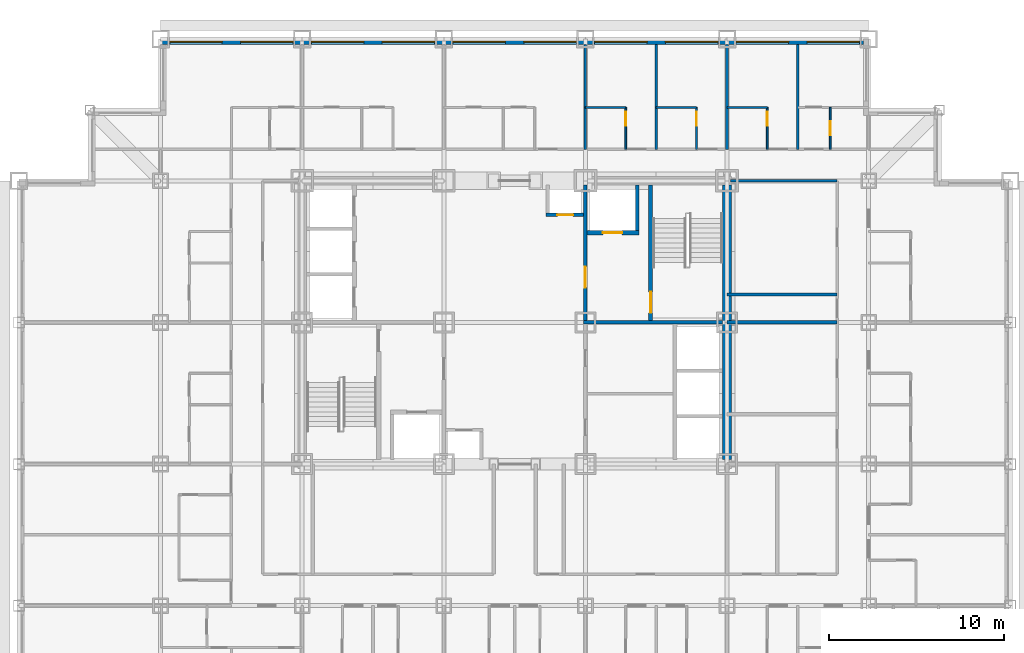
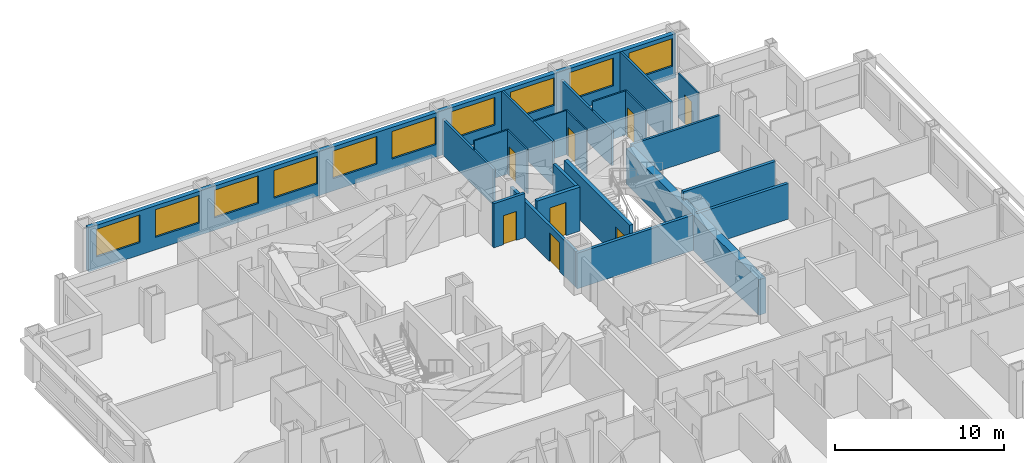
# One storey, part 9 of 11: 22 walls, 10 windows, 8 doors, 18 openings.
"""IFC4 building model written with IfcOpenShell, lengths in metres."""

from ifc_helpers import new_model, si_unit, direction, frame, frame_2d, origin, place, context, subcontext, project, spatial, rectangle, extrude, material, layer, layer_set, type_object, element, fill, save


model = new_model("IFC4")

# Units and contexts
model_context = context("Model", 3, precision=1e-05, world=origin(), true_north=direction((0.0, 1.0)))
body_context = subcontext(model_context, "Body", "Model", "MODEL_VIEW")
ifc_project = project(units=[si_unit("LENGTHUNIT", "METRE"), si_unit("AREAUNIT", "SQUARE_METRE"), si_unit("VOLUMEUNIT", "CUBIC_METRE"), si_unit("PLANEANGLEUNIT", "RADIAN"), si_unit("MASSUNIT", "GRAM", prefix="KILO")], contexts=[model_context])

# Site, building, storey
site_placement = place(None, origin())
site = spatial("IfcSite", under=ifc_project, at=site_placement, CompositionType="ELEMENT")
building_placement = place(site_placement, origin())
building = spatial("IfcBuilding", under=site, at=building_placement, Name="Kopane Lantern Tower", CompositionType="ELEMENT")
storey_placement = place(building_placement, frame((0.0, 0.0, 73.800048828125)))
storey = spatial("IfcBuildingStorey", under=building, at=storey_placement, Name="L18", CompositionType="ELEMENT", Elevation=73.800048828125)

# Wall
ifc_material_1 = material(Name="Moisture-resistant board on steel studs", Category="steel")
ifc_layer_1 = layer(ifc_material_1, 0.10009765625)
ifc_layer_set_1 = layer_set([ifc_layer_1], Name="BATHROOM WALL 100")
wall_type_1 = type_object("IfcWallType", Name="BATHROOM WALL 100", PredefinedType="PARTITIONING", material=ifc_layer_set_1)
wall_1_placement = place(storey_placement, frame((32.39990234375, 44.699951171875, 0.0), z_axis=(0.0, 0.0, 1.0), x_axis=(1.0, 0.0, 0.0)))
element("IfcWall", 1, at=wall_1_placement, inside=storey, type_object=wall_type_1, Name="Bathroom Wall 100 L18", PredefinedType="PARTITIONING", context=body_context, shape_type="SweptSolid", body=[
    extrude(rectangle(XDim=2.300048828125, YDim=0.10009765625, at=frame_2d((1.14990234375, 0.0))), origin(), (0.0, 0.0, 1.0), 3.18994140625),
])

# Wall, opening, door
wall_2_placement = place(storey_placement, frame((34.699951171875, 42.300048828125, 0.0), z_axis=(0.0, 0.0, 1.0), x_axis=(0.0, 1.0, 0.0)))
wall_2 = element("IfcWall", 2, at=wall_2_placement, inside=storey, type_object=wall_type_1, Name="Bathroom Wall 100 L18", PredefinedType="PARTITIONING", context=body_context, shape_type="SweptSolid", body=[
    extrude(rectangle(XDim=2.39990234375, YDim=0.10009765625, at=frame_2d((1.199951171875, 0.0))), origin(), (0.0, 0.0, 1.0), 3.18994140625),
])
opening_1_placement = place(wall_2_placement, frame((1.35009765625, 0.0, 0.0)))
opening_1 = element("IfcOpeningElement", 3, at=opening_1_placement, cuts=wall_2, Name="Opening L18-033", PredefinedType="OPENING", context=body_context, shape_type="SweptSolid", body=[
    extrude(rectangle(XDim=0.800048828125, YDim=2.10009765625, at=frame_2d((0.39990234375, 1.050048828125))), frame((0.0, 0.06005859375, 0.0), z_axis=(0.0, -1.0, 0.0), x_axis=(1.0, 0.0, 0.0)), (0.0, 0.0, 1.0), 0.1201171875),
])
ifc_material_2 = material(Name="Timber door set", Category="wood")
door_type_1 = type_object("IfcDoorType", Name="DOOR D2 800x2100", OperationType="SINGLE_SWING_LEFT", PredefinedType="DOOR", material=ifc_material_2)
door_1_placement = place(opening_1_placement, origin())
door_1 = element("IfcDoor", 4, at=door_1_placement, inside=storey, type_object=door_type_1, Name="Door L18-033", OperationType="SINGLE_SWING_RIGHT", OverallHeight=2.10009765625, OverallWidth=0.800048828125, PredefinedType="DOOR", context=body_context, shape_type="SweptSolid", body=[
    extrude(rectangle(XDim=0.800048828125, YDim=2.10009765625, at=frame_2d((0.39990234375, 1.050048828125))), frame((0.0, 0.02490234375, 0.0), z_axis=(0.0, -1.0, 0.0), x_axis=(1.0, 0.0, 0.0)), (0.0, 0.0, 1.0), 0.050048828125),
])
fill(opening_1, door_1)

# Wall
wall_3_placement = place(storey_placement, frame((36.449951171875, 44.699951171875, 0.0), z_axis=(0.0, 0.0, 1.0), x_axis=(1.0, 0.0, 0.0)))
element("IfcWall", 5, at=wall_3_placement, inside=storey, type_object=wall_type_1, Name="Bathroom Wall 100 L18", PredefinedType="PARTITIONING", context=body_context, shape_type="SweptSolid", body=[
    extrude(rectangle(XDim=2.300048828125, YDim=0.10009765625, at=frame_2d((1.14990234375, 0.0))), origin(), (0.0, 0.0, 1.0), 3.18994140625),
])

# Wall, opening, door
wall_4_placement = place(storey_placement, frame((38.75, 42.300048828125, 0.0), z_axis=(0.0, 0.0, 1.0), x_axis=(0.0, 1.0, 0.0)))
wall_4 = element("IfcWall", 6, at=wall_4_placement, inside=storey, type_object=wall_type_1, Name="Bathroom Wall 100 L18", PredefinedType="PARTITIONING", context=body_context, shape_type="SweptSolid", body=[
    extrude(rectangle(XDim=2.39990234375, YDim=0.10009765625, at=frame_2d((1.199951171875, 0.0))), origin(), (0.0, 0.0, 1.0), 3.18994140625),
])
opening_2_placement = place(wall_4_placement, frame((1.35009765625, 0.0, 0.0)))
opening_2 = element("IfcOpeningElement", 7, at=opening_2_placement, cuts=wall_4, Name="Opening L18-035", PredefinedType="OPENING", context=body_context, shape_type="SweptSolid", body=[
    extrude(rectangle(XDim=0.800048828125, YDim=2.10009765625, at=frame_2d((0.39990234375, 1.050048828125))), frame((0.0, 0.06005859375, 0.0), z_axis=(0.0, -1.0, 0.0), x_axis=(1.0, 0.0, 0.0)), (0.0, 0.0, 1.0), 0.1201171875),
])
door_2_placement = place(opening_2_placement, origin())
door_2 = element("IfcDoor", 8, at=door_2_placement, inside=storey, type_object=door_type_1, Name="Door L18-035", OperationType="SINGLE_SWING_RIGHT", OverallHeight=2.10009765625, OverallWidth=0.800048828125, PredefinedType="DOOR", context=body_context, shape_type="SweptSolid", body=[
    extrude(rectangle(XDim=0.800048828125, YDim=2.10009765625, at=frame_2d((0.39990234375, 1.050048828125))), frame((0.0, 0.02490234375, 0.0), z_axis=(0.0, -1.0, 0.0), x_axis=(1.0, 0.0, 0.0)), (0.0, 0.0, 1.0), 0.050048828125),
])
fill(opening_2, door_2)

# Wall
wall_5_placement = place(storey_placement, frame((40.5, 44.699951171875, 0.0), z_axis=(0.0, 0.0, 1.0), x_axis=(1.0, 0.0, 0.0)))
element("IfcWall", 9, at=wall_5_placement, inside=storey, type_object=wall_type_1, Name="Bathroom Wall 100 L18", PredefinedType="PARTITIONING", context=body_context, shape_type="SweptSolid", body=[
    extrude(rectangle(XDim=2.300048828125, YDim=0.10009765625, at=frame_2d((1.14990234375, 0.0))), origin(), (0.0, 0.0, 1.0), 3.18994140625),
])

# Wall, opening, door
wall_6_placement = place(storey_placement, frame((42.800048828125, 42.300048828125, 0.0), z_axis=(0.0, 0.0, 1.0), x_axis=(0.0, 1.0, 0.0)))
wall_6 = element("IfcWall", 10, at=wall_6_placement, inside=storey, type_object=wall_type_1, Name="Bathroom Wall 100 L18", PredefinedType="PARTITIONING", context=body_context, shape_type="SweptSolid", body=[
    extrude(rectangle(XDim=2.39990234375, YDim=0.10009765625, at=frame_2d((1.199951171875, 0.0))), origin(), (0.0, 0.0, 1.0), 3.18994140625),
])
opening_3_placement = place(wall_6_placement, frame((1.35009765625, 0.0, 0.0)))
opening_3 = element("IfcOpeningElement", 11, at=opening_3_placement, cuts=wall_6, Name="Opening L18-037", PredefinedType="OPENING", context=body_context, shape_type="SweptSolid", body=[
    extrude(rectangle(XDim=0.800048828125, YDim=2.10009765625, at=frame_2d((0.39990234375, 1.050048828125))), frame((0.0, 0.06005859375, 0.0), z_axis=(0.0, -1.0, 0.0), x_axis=(1.0, 0.0, 0.0)), (0.0, 0.0, 1.0), 0.1201171875),
])
door_3_placement = place(opening_3_placement, origin())
door_3 = element("IfcDoor", 12, at=door_3_placement, inside=storey, type_object=door_type_1, Name="Door L18-037", OperationType="SINGLE_SWING_RIGHT", OverallHeight=2.10009765625, OverallWidth=0.800048828125, PredefinedType="DOOR", context=body_context, shape_type="SweptSolid", body=[
    extrude(rectangle(XDim=0.800048828125, YDim=2.10009765625, at=frame_2d((0.39990234375, 1.050048828125))), frame((0.0, 0.02490234375, 0.0), z_axis=(0.0, -1.0, 0.0), x_axis=(1.0, 0.0, 0.0)), (0.0, 0.0, 1.0), 0.050048828125),
])
fill(opening_3, door_3)

wall_7_placement = place(storey_placement, frame((46.39990234375, 42.300048828125, 0.0), z_axis=(0.0, 0.0, 1.0), x_axis=(0.0, 1.0, 0.0)))
wall_7 = element("IfcWall", 13, at=wall_7_placement, inside=storey, type_object=wall_type_1, Name="Bathroom Wall 100 L18", PredefinedType="PARTITIONING", context=body_context, shape_type="SweptSolid", body=[
    extrude(rectangle(XDim=2.39990234375, YDim=0.10009765625, at=frame_2d((1.199951171875, 0.0))), origin(), (0.0, 0.0, 1.0), 3.18994140625),
])
opening_4_placement = place(wall_7_placement, frame((0.800048828125, 0.0, 0.0)))
opening_4 = element("IfcOpeningElement", 14, at=opening_4_placement, cuts=wall_7, Name="Opening L18-067", PredefinedType="OPENING", context=body_context, shape_type="SweptSolid", body=[
    extrude(rectangle(XDim=0.800048828125, YDim=2.10009765625, at=frame_2d((0.39990234375, 1.050048828125))), frame((0.0, 0.06005859375, 0.0), z_axis=(0.0, -1.0, 0.0), x_axis=(1.0, 0.0, 0.0)), (0.0, 0.0, 1.0), 0.1201171875),
])
door_4_placement = place(opening_4_placement, origin())
door_4 = element("IfcDoor", 15, at=door_4_placement, inside=storey, type_object=door_type_1, Name="Door L18-067", OperationType="SINGLE_SWING_RIGHT", OverallHeight=2.10009765625, OverallWidth=0.800048828125, PredefinedType="DOOR", context=body_context, shape_type="SweptSolid", body=[
    extrude(rectangle(XDim=0.800048828125, YDim=2.10009765625, at=frame_2d((0.39990234375, 1.050048828125))), frame((0.0, 0.02490234375, 0.0), z_axis=(0.0, -1.0, 0.0), x_axis=(1.0, 0.0, 0.0)), (0.0, 0.0, 1.0), 0.050048828125),
])
fill(opening_4, door_4)

# Wall
ifc_material_3 = material(Name="Gypsum shaft wall EI 120", Category="gypsum")
ifc_layer_2 = layer(ifc_material_3, 0.5)
ifc_layer_set_2 = layer_set([ifc_layer_2], Name="CORE PERIMETER WALL 500 EI 120")
wall_type_2 = type_object("IfcWallType", Name="CORE PERIMETER WALL 500 EI 120", PredefinedType="SOLIDWALL", material=ifc_layer_set_2)
wall_8_placement = place(storey_placement, frame((40.5, 24.550048828125, 0.0), z_axis=(0.0, 0.0, 1.0), x_axis=(0.0, 1.0, 0.0)))
element("IfcWall", 16, at=wall_8_placement, inside=storey, type_object=wall_type_2, Name="Core shaft wall L18 PE", PredefinedType="SOLIDWALL", context=body_context, shape_type="SweptSolid", body=[
    extrude(rectangle(XDim=15.699951171875, YDim=0.5, at=frame_2d((7.85009765625, 0.0))), origin(), (0.0, 0.0, 1.0), 2.57763671875),
])

# Wall, opening, door
ifc_material_4 = material(Name="Gypsum shaft wall EI 120", Category="gypsum")
ifc_layer_3 = layer(ifc_material_4, 0.25)
ifc_layer_set_3 = layer_set([ifc_layer_3], Name="CORE SHAFT WALL 250 EI 120")
wall_type_3 = type_object("IfcWallType", Name="CORE SHAFT WALL 250 EI 120", PredefinedType="SOLIDWALL", material=ifc_layer_set_3)
wall_9_placement = place(storey_placement, frame((36.125, 32.5, 0.0), z_axis=(0.0, 0.0, 1.0), x_axis=(0.0, 1.0, 0.0)))
wall_9 = element("IfcWall", 17, at=wall_9_placement, inside=storey, type_object=wall_type_3, Name="Core shaft wall L18 XST2", PredefinedType="SOLIDWALL", context=body_context, shape_type="SweptSolid", body=[
    extrude(rectangle(XDim=7.75, YDim=0.25, at=frame_2d((3.875, 0.0))), origin(), (0.0, 0.0, 1.0), 3.18994140625),
])
opening_5_placement = place(wall_9_placement, frame((0.449951171875, 0.0, 0.0)))
opening_5 = element("IfcOpeningElement", 18, at=opening_5_placement, cuts=wall_9, Name="Opening 18.SD2", PredefinedType="OPENING", context=body_context, shape_type="SweptSolid", body=[
    extrude(rectangle(XDim=1.199951171875, YDim=2.10009765625, at=frame_2d((0.60009765625, 1.050048828125))), frame((0.0, 0.135009765625, 0.0), z_axis=(0.0, -1.0, 0.0), x_axis=(1.0, 0.0, 0.0)), (0.0, 0.0, 1.0), 0.27001953125),
])
ifc_material_5 = material(Name="Steel door set", Category="steel")
door_type_2 = type_object("IfcDoorType", Name="STAIR DOOR 1200x2100 FD60S", OperationType="SINGLE_SWING_LEFT", PredefinedType="DOOR", material=ifc_material_5)
door_5_placement = place(opening_5_placement, origin())
door_5 = element("IfcDoor", 19, at=door_5_placement, inside=storey, type_object=door_type_2, Name="Stair door ST2 L18", OperationType="SINGLE_SWING_RIGHT", OverallHeight=2.10009765625, OverallWidth=1.199951171875, PredefinedType="DOOR", context=body_context, shape_type="SweptSolid", body=[
    extrude(rectangle(XDim=1.199951171875, YDim=2.10009765625, at=frame_2d((0.60009765625, 1.050048828125))), frame((0.0, 0.02490234375, 0.0), z_axis=(0.0, -1.0, 0.0), x_axis=(1.0, 0.0, 0.0)), (0.0, 0.0, 1.0), 0.050048828125),
])
fill(opening_5, door_5)

wall_10_placement = place(storey_placement, frame((32.5, 37.52490234375, 0.0), z_axis=(0.0, 0.0, 1.0), x_axis=(1.0, 0.0, 0.0)))
wall_10 = element("IfcWall", 20, at=wall_10_placement, inside=storey, type_object=wall_type_3, Name="Core shaft wall L18 YLF2", PredefinedType="SOLIDWALL", context=body_context, shape_type="SweptSolid", body=[
    extrude(rectangle(XDim=2.949951171875, YDim=0.25, at=frame_2d((1.47509765625, 0.0))), origin(), (0.0, 0.0, 1.0), 3.18994140625),
])
opening_6_placement = place(wall_10_placement, frame((0.89990234375, 0.0, 0.0)))
opening_6 = element("IfcOpeningElement", 21, at=opening_6_placement, cuts=wall_10, Name="Opening 18.LD-LF2", PredefinedType="OPENING", context=body_context, shape_type="SweptSolid", body=[
    extrude(rectangle(XDim=1.10009765625, YDim=2.39990234375, at=frame_2d((0.550048828125, 1.199951171875))), frame((0.0, 0.135009765625, 0.0), z_axis=(0.0, -1.0, 0.0), x_axis=(1.0, 0.0, 0.0)), (0.0, 0.0, 1.0), 0.27001953125),
])
ifc_material_6 = material(Name="Steel door set", Category="steel")
door_type_3 = type_object("IfcDoorType", Name="LIFT LANDING DOOR 1100x2400 FD60", OperationType="DOUBLE_DOOR_SLIDING", PredefinedType="DOOR", material=ifc_material_6)
door_6_placement = place(opening_6_placement, origin())
door_6 = element("IfcDoor", 22, at=door_6_placement, inside=storey, type_object=door_type_3, Name="Landing door LF2 L18", OperationType="DOUBLE_DOOR_SLIDING", OverallHeight=2.39990234375, OverallWidth=1.10009765625, PredefinedType="DOOR", context=body_context, shape_type="SweptSolid", body=[
    extrude(rectangle(XDim=1.10009765625, YDim=2.39990234375, at=frame_2d((0.550048828125, 1.199951171875))), frame((0.0, 0.02490234375, 0.0), z_axis=(0.0, -1.0, 0.0), x_axis=(1.0, 0.0, 0.0)), (0.0, 0.0, 1.0), 0.050048828125),
])
fill(opening_6, door_6)

# Walls
ifc_material_7 = material(Name="Gypsum board on steel studs", Category="steel")
ifc_layer_4 = layer(ifc_material_7, 0.14990234375)
ifc_layer_set_4 = layer_set([ifc_layer_4], Name="CORRIDOR WALL 150 EI 60")
wall_type_4 = type_object("IfcWallType", Name="CORRIDOR WALL 150 EI 60", PredefinedType="PARTITIONING", material=ifc_layer_set_4)
wall_11_placement = place(storey_placement, frame((46.800048828125, 40.5, 0.0), z_axis=(0.0, 0.0, 1.0), x_axis=(-1.0, 0.0, 0.0)))
element("IfcWall", 23, at=wall_11_placement, inside=storey, type_object=wall_type_4, Name="Corridor Wall 150 Ei 60 L18", PredefinedType="PARTITIONING", context=body_context, shape_type="SweptSolid", body=[
    extrude(rectangle(XDim=6.10009765625, YDim=0.14990234375, at=frame_2d((3.050048828125, 0.0))), origin(), (0.0, 0.0, 1.0), 2.57763671875),
])
ifc_material_8 = material(Name="Gypsum board on steel studs", Category="steel")
ifc_layer_5 = layer(ifc_material_8, 0.14990234375)
ifc_layer_set_5 = layer_set([ifc_layer_5], Name="DEMISING WALL 150 EI 60")
wall_type_5 = type_object("IfcWallType", Name="DEMISING WALL 150 EI 60", PredefinedType="PARTITIONING", material=ifc_layer_set_5)
wall_12_placement = place(storey_placement, frame((32.39990234375, 42.300048828125, 0.0), z_axis=(0.0, 0.0, 1.0), x_axis=(0.0, 1.0, 0.0)))
element("IfcWall", 24, at=wall_12_placement, inside=storey, type_object=wall_type_5, Name="Demising Wall 150 Ei 60 L18", PredefinedType="PARTITIONING", context=body_context, shape_type="SweptSolid", body=[
    extrude(rectangle(XDim=6.0, YDim=0.14990234375, at=frame_2d((3.0, 0.0))), origin(), (0.0, 0.0, 1.0), 2.57763671875),
])
wall_13_placement = place(storey_placement, frame((36.449951171875, 42.300048828125, 0.0), z_axis=(0.0, 0.0, 1.0), x_axis=(0.0, 1.0, 0.0)))
element("IfcWall", 25, at=wall_13_placement, inside=storey, type_object=wall_type_5, Name="Demising Wall 150 Ei 60 L18", PredefinedType="PARTITIONING", context=body_context, shape_type="SweptSolid", body=[
    extrude(rectangle(XDim=6.0, YDim=0.14990234375, at=frame_2d((3.0, 0.0))), origin(), (0.0, 0.0, 1.0), 3.18994140625),
])
wall_14_placement = place(storey_placement, frame((40.5, 42.300048828125, 0.0), z_axis=(0.0, 0.0, 1.0), x_axis=(0.0, 1.0, 0.0)))
element("IfcWall", 26, at=wall_14_placement, inside=storey, type_object=wall_type_5, Name="Demising Wall 150 Ei 60 L18", PredefinedType="PARTITIONING", context=body_context, shape_type="SweptSolid", body=[
    extrude(rectangle(XDim=6.0, YDim=0.14990234375, at=frame_2d((3.0, 0.0))), origin(), (0.0, 0.0, 1.0), 2.57763671875),
])
wall_15_placement = place(storey_placement, frame((44.550048828125, 42.300048828125, 0.0), z_axis=(0.0, 0.0, 1.0), x_axis=(0.0, 1.0, 0.0)))
element("IfcWall", 27, at=wall_15_placement, inside=storey, type_object=wall_type_5, Name="Demising Wall 150 Ei 60 L18", PredefinedType="PARTITIONING", context=body_context, shape_type="SweptSolid", body=[
    extrude(rectangle(XDim=6.0, YDim=0.14990234375, at=frame_2d((3.0, 0.0))), origin(), (0.0, 0.0, 1.0), 3.18994140625),
])

# Wall, openings, windows
ifc_material_9 = material(Name="Terracotta rainscreen on light steel framing", Category="masonry")
ifc_layer_6 = layer(ifc_material_9, 0.300048828125)
ifc_layer_set_6 = layer_set([ifc_layer_6], Name="EXTERNAL WALL EW1 300 TERRACOTTA")
wall_type_6 = type_object("IfcWallType", Name="EXTERNAL WALL EW1 300 TERRACOTTA", PredefinedType="SOLIDWALL", material=ifc_layer_set_6)
wall_16_placement = place(storey_placement, frame((48.300048828125, 48.449951171875, 0.0), z_axis=(0.0, 0.0, 1.0), x_axis=(-1.0, 0.0, 0.0)))
wall_16 = element("IfcWall", 28, at=wall_16_placement, inside=storey, type_object=wall_type_6, Name="External wall N L18", PredefinedType="SOLIDWALL", context=body_context, shape_type="SweptSolid", body=[
    extrude(rectangle(XDim=40.199951171875, YDim=0.300048828125, at=frame_2d((20.10009765625, 0.0))), origin(), (0.0, 0.0, 1.0), 3.18994140625),
])
opening_7_placement = place(wall_16_placement, frame((0.22509765625, 0.0, 0.89990234375)))
opening_7 = element("IfcOpeningElement", 29, at=opening_7_placement, cuts=wall_16, Name="Opening WR300200", PredefinedType="OPENING", context=body_context, shape_type="SweptSolid", body=[
    extrude(rectangle(XDim=3.0, YDim=2.0, at=frame_2d((1.5, 1.0))), frame((0.0, 0.159912109375, 0.0), z_axis=(0.0, -1.0, 0.0), x_axis=(1.0, 0.0, 0.0)), (0.0, 0.0, 1.0), 0.320068359375),
])
opening_8_placement = place(wall_16_placement, frame((4.27490234375, 0.0, 0.89990234375)))
opening_8 = element("IfcOpeningElement", 30, at=opening_8_placement, cuts=wall_16, Name="Opening WR300200", PredefinedType="OPENING", context=body_context, shape_type="SweptSolid", body=[
    extrude(rectangle(XDim=3.0, YDim=2.0, at=frame_2d((1.5, 1.0))), frame((0.0, 0.159912109375, 0.0), z_axis=(0.0, -1.0, 0.0), x_axis=(1.0, 0.0, 0.0)), (0.0, 0.0, 1.0), 0.320068359375),
])
opening_9_placement = place(wall_16_placement, frame((8.324951171875, 0.0, 0.89990234375)))
opening_9 = element("IfcOpeningElement", 31, at=opening_9_placement, cuts=wall_16, Name="Opening WR300200", PredefinedType="OPENING", context=body_context, shape_type="SweptSolid", body=[
    extrude(rectangle(XDim=3.0, YDim=2.0, at=frame_2d((1.5, 1.0))), frame((0.0, 0.159912109375, 0.0), z_axis=(0.0, -1.0, 0.0), x_axis=(1.0, 0.0, 0.0)), (0.0, 0.0, 1.0), 0.320068359375),
])
opening_10_placement = place(wall_16_placement, frame((12.375, 0.0, 0.89990234375)))
opening_10 = element("IfcOpeningElement", 32, at=opening_10_placement, cuts=wall_16, Name="Opening WR300200", PredefinedType="OPENING", context=body_context, shape_type="SweptSolid", body=[
    extrude(rectangle(XDim=3.0, YDim=2.0, at=frame_2d((1.5, 1.0))), frame((0.0, 0.159912109375, 0.0), z_axis=(0.0, -1.0, 0.0), x_axis=(1.0, 0.0, 0.0)), (0.0, 0.0, 1.0), 0.320068359375),
])
opening_11_placement = place(wall_16_placement, frame((16.425048828125, 0.0, 0.89990234375)))
opening_11 = element("IfcOpeningElement", 33, at=opening_11_placement, cuts=wall_16, Name="Opening WR300200", PredefinedType="OPENING", context=body_context, shape_type="SweptSolid", body=[
    extrude(rectangle(XDim=3.0, YDim=2.0, at=frame_2d((1.5, 1.0))), frame((0.0, 0.159912109375, 0.0), z_axis=(0.0, -1.0, 0.0), x_axis=(1.0, 0.0, 0.0)), (0.0, 0.0, 1.0), 0.320068359375),
])
opening_12_placement = place(wall_16_placement, frame((20.47509765625, 0.0, 0.89990234375)))
opening_12 = element("IfcOpeningElement", 34, at=opening_12_placement, cuts=wall_16, Name="Opening WR300200", PredefinedType="OPENING", context=body_context, shape_type="SweptSolid", body=[
    extrude(rectangle(XDim=3.0, YDim=2.0, at=frame_2d((1.5, 1.0))), frame((0.0, 0.159912109375, 0.0), z_axis=(0.0, -1.0, 0.0), x_axis=(1.0, 0.0, 0.0)), (0.0, 0.0, 1.0), 0.320068359375),
])
opening_13_placement = place(wall_16_placement, frame((24.52490234375, 0.0, 0.89990234375)))
opening_13 = element("IfcOpeningElement", 35, at=opening_13_placement, cuts=wall_16, Name="Opening WR300200", PredefinedType="OPENING", context=body_context, shape_type="SweptSolid", body=[
    extrude(rectangle(XDim=3.0, YDim=2.0, at=frame_2d((1.5, 1.0))), frame((0.0, 0.159912109375, 0.0), z_axis=(0.0, -1.0, 0.0), x_axis=(1.0, 0.0, 0.0)), (0.0, 0.0, 1.0), 0.320068359375),
])
opening_14_placement = place(wall_16_placement, frame((28.574951171875, 0.0, 0.89990234375)))
opening_14 = element("IfcOpeningElement", 36, at=opening_14_placement, cuts=wall_16, Name="Opening WR300200", PredefinedType="OPENING", context=body_context, shape_type="SweptSolid", body=[
    extrude(rectangle(XDim=3.0, YDim=2.0, at=frame_2d((1.5, 1.0))), frame((0.0, 0.159912109375, 0.0), z_axis=(0.0, -1.0, 0.0), x_axis=(1.0, 0.0, 0.0)), (0.0, 0.0, 1.0), 0.320068359375),
])
opening_15_placement = place(wall_16_placement, frame((32.625, 0.0, 0.89990234375)))
opening_15 = element("IfcOpeningElement", 37, at=opening_15_placement, cuts=wall_16, Name="Opening WR300200", PredefinedType="OPENING", context=body_context, shape_type="SweptSolid", body=[
    extrude(rectangle(XDim=3.0, YDim=2.0, at=frame_2d((1.5, 1.0))), frame((0.0, 0.159912109375, 0.0), z_axis=(0.0, -1.0, 0.0), x_axis=(1.0, 0.0, 0.0)), (0.0, 0.0, 1.0), 0.320068359375),
])
opening_16_placement = place(wall_16_placement, frame((36.675048828125, 0.0, 0.89990234375)))
opening_16 = element("IfcOpeningElement", 38, at=opening_16_placement, cuts=wall_16, Name="Opening WR300200", PredefinedType="OPENING", context=body_context, shape_type="SweptSolid", body=[
    extrude(rectangle(XDim=3.0, YDim=2.0, at=frame_2d((1.5, 1.0))), frame((0.0, 0.159912109375, 0.0), z_axis=(0.0, -1.0, 0.0), x_axis=(1.0, 0.0, 0.0)), (0.0, 0.0, 1.0), 0.320068359375),
])
ifc_material_10 = material(Name="Aluminium and clear glass", Category="aluminium")
window_type = type_object("IfcWindowType", Name="RIBBON WINDOW WR300200 3000x2000", PartitioningType="SINGLE_PANEL", PredefinedType="WINDOW", material=ifc_material_10)
window_1_placement = place(opening_7_placement, origin())
window_1 = element("IfcWindow", 39, at=window_1_placement, inside=storey, type_object=window_type, Name="Window N L18", OverallHeight=2.0, OverallWidth=3.0, PartitioningType="SINGLE_PANEL", PredefinedType="WINDOW", context=body_context, shape_type="SweptSolid", body=[
    extrude(rectangle(XDim=3.0, YDim=2.0, at=frame_2d((1.5, 1.0))), frame((0.0, 0.030029296875, 0.0), z_axis=(0.0, -1.0, 0.0), x_axis=(1.0, 0.0, 0.0)), (0.0, 0.0, 1.0), 0.06005859375),
])
fill(opening_7, window_1)
window_2_placement = place(opening_8_placement, origin())
window_2 = element("IfcWindow", 40, at=window_2_placement, inside=storey, type_object=window_type, Name="Window N L18", OverallHeight=2.0, OverallWidth=3.0, PartitioningType="SINGLE_PANEL", PredefinedType="WINDOW", context=body_context, shape_type="SweptSolid", body=[
    extrude(rectangle(XDim=3.0, YDim=2.0, at=frame_2d((1.5, 1.0))), frame((0.0, 0.030029296875, 0.0), z_axis=(0.0, -1.0, 0.0), x_axis=(1.0, 0.0, 0.0)), (0.0, 0.0, 1.0), 0.06005859375),
])
fill(opening_8, window_2)
window_3_placement = place(opening_9_placement, origin())
window_3 = element("IfcWindow", 41, at=window_3_placement, inside=storey, type_object=window_type, Name="Window N L18", OverallHeight=2.0, OverallWidth=3.0, PartitioningType="SINGLE_PANEL", PredefinedType="WINDOW", context=body_context, shape_type="SweptSolid", body=[
    extrude(rectangle(XDim=3.0, YDim=2.0, at=frame_2d((1.5, 1.0))), frame((0.0, 0.030029296875, 0.0), z_axis=(0.0, -1.0, 0.0), x_axis=(1.0, 0.0, 0.0)), (0.0, 0.0, 1.0), 0.06005859375),
])
fill(opening_9, window_3)
window_4_placement = place(opening_10_placement, origin())
window_4 = element("IfcWindow", 42, at=window_4_placement, inside=storey, type_object=window_type, Name="Window N L18", OverallHeight=2.0, OverallWidth=3.0, PartitioningType="SINGLE_PANEL", PredefinedType="WINDOW", context=body_context, shape_type="SweptSolid", body=[
    extrude(rectangle(XDim=3.0, YDim=2.0, at=frame_2d((1.5, 1.0))), frame((0.0, 0.030029296875, 0.0), z_axis=(0.0, -1.0, 0.0), x_axis=(1.0, 0.0, 0.0)), (0.0, 0.0, 1.0), 0.06005859375),
])
fill(opening_10, window_4)
window_5_placement = place(opening_11_placement, origin())
window_5 = element("IfcWindow", 43, at=window_5_placement, inside=storey, type_object=window_type, Name="Window N L18", OverallHeight=2.0, OverallWidth=3.0, PartitioningType="SINGLE_PANEL", PredefinedType="WINDOW", context=body_context, shape_type="SweptSolid", body=[
    extrude(rectangle(XDim=3.0, YDim=2.0, at=frame_2d((1.5, 1.0))), frame((0.0, 0.030029296875, 0.0), z_axis=(0.0, -1.0, 0.0), x_axis=(1.0, 0.0, 0.0)), (0.0, 0.0, 1.0), 0.06005859375),
])
fill(opening_11, window_5)
window_6_placement = place(opening_12_placement, origin())
window_6 = element("IfcWindow", 44, at=window_6_placement, inside=storey, type_object=window_type, Name="Window N L18", OverallHeight=2.0, OverallWidth=3.0, PartitioningType="SINGLE_PANEL", PredefinedType="WINDOW", context=body_context, shape_type="SweptSolid", body=[
    extrude(rectangle(XDim=3.0, YDim=2.0, at=frame_2d((1.5, 1.0))), frame((0.0, 0.030029296875, 0.0), z_axis=(0.0, -1.0, 0.0), x_axis=(1.0, 0.0, 0.0)), (0.0, 0.0, 1.0), 0.06005859375),
])
fill(opening_12, window_6)
window_7_placement = place(opening_13_placement, origin())
window_7 = element("IfcWindow", 45, at=window_7_placement, inside=storey, type_object=window_type, Name="Window N L18", OverallHeight=2.0, OverallWidth=3.0, PartitioningType="SINGLE_PANEL", PredefinedType="WINDOW", context=body_context, shape_type="SweptSolid", body=[
    extrude(rectangle(XDim=3.0, YDim=2.0, at=frame_2d((1.5, 1.0))), frame((0.0, 0.030029296875, 0.0), z_axis=(0.0, -1.0, 0.0), x_axis=(1.0, 0.0, 0.0)), (0.0, 0.0, 1.0), 0.06005859375),
])
fill(opening_13, window_7)
window_8_placement = place(opening_14_placement, origin())
window_8 = element("IfcWindow", 46, at=window_8_placement, inside=storey, type_object=window_type, Name="Window N L18", OverallHeight=2.0, OverallWidth=3.0, PartitioningType="SINGLE_PANEL", PredefinedType="WINDOW", context=body_context, shape_type="SweptSolid", body=[
    extrude(rectangle(XDim=3.0, YDim=2.0, at=frame_2d((1.5, 1.0))), frame((0.0, 0.030029296875, 0.0), z_axis=(0.0, -1.0, 0.0), x_axis=(1.0, 0.0, 0.0)), (0.0, 0.0, 1.0), 0.06005859375),
])
fill(opening_14, window_8)
window_9_placement = place(opening_15_placement, origin())
window_9 = element("IfcWindow", 47, at=window_9_placement, inside=storey, type_object=window_type, Name="Window N L18", OverallHeight=2.0, OverallWidth=3.0, PartitioningType="SINGLE_PANEL", PredefinedType="WINDOW", context=body_context, shape_type="SweptSolid", body=[
    extrude(rectangle(XDim=3.0, YDim=2.0, at=frame_2d((1.5, 1.0))), frame((0.0, 0.030029296875, 0.0), z_axis=(0.0, -1.0, 0.0), x_axis=(1.0, 0.0, 0.0)), (0.0, 0.0, 1.0), 0.06005859375),
])
fill(opening_15, window_9)
window_10_placement = place(opening_16_placement, origin())
window_10 = element("IfcWindow", 48, at=window_10_placement, inside=storey, type_object=window_type, Name="Window N L18", OverallHeight=2.0, OverallWidth=3.0, PartitioningType="SINGLE_PANEL", PredefinedType="WINDOW", context=body_context, shape_type="SweptSolid", body=[
    extrude(rectangle(XDim=3.0, YDim=2.0, at=frame_2d((1.5, 1.0))), frame((0.0, 0.030029296875, 0.0), z_axis=(0.0, -1.0, 0.0), x_axis=(1.0, 0.0, 0.0)), (0.0, 0.0, 1.0), 0.06005859375),
])
fill(opening_16, window_10)

# Walls
ifc_material_11 = material(Name="Concrete masonry", Category="masonry")
ifc_layer_7 = layer(ifc_material_11, 0.199951171875)
ifc_layer_set_7 = layer_set([ifc_layer_7], Name="PLANT ROOM WALL 200 EI 120")
wall_type_7 = type_object("IfcWallType", Name="PLANT ROOM WALL 200 EI 120", PredefinedType="SOLIDWALL", material=ifc_layer_set_7)
wall_17_placement = place(storey_placement, frame((40.5, 32.39990234375, 0.0), z_axis=(0.0, 0.0, 1.0), x_axis=(1.0, 0.0, 0.0)))
element("IfcWall", 49, at=wall_17_placement, inside=storey, type_object=wall_type_7, Name="Plant Room Wall 200 Ei 120 L18", PredefinedType="SOLIDWALL", context=body_context, shape_type="SweptSolid", body=[
    extrude(rectangle(XDim=6.300048828125, YDim=0.199951171875, at=frame_2d((3.14990234375, 0.0))), origin(), (0.0, 0.0, 1.0), 2.57763671875),
])
wall_18_placement = place(storey_placement, frame((46.800048828125, 34.0, 0.0), z_axis=(0.0, 0.0, 1.0), x_axis=(-1.0, 0.0, 0.0)))
element("IfcWall", 50, at=wall_18_placement, inside=storey, type_object=wall_type_7, Name="Plant Room Wall 200 Ei 120 L18", PredefinedType="SOLIDWALL", context=body_context, shape_type="SweptSolid", body=[
    extrude(rectangle(XDim=6.300048828125, YDim=0.199951171875, at=frame_2d((3.14990234375, 0.0))), origin(), (0.0, 0.0, 1.0), 3.18994140625),
])
ifc_material_12 = material(Name="Gypsum shaft wall EI 120", Category="gypsum")
ifc_layer_8 = layer(ifc_material_12, 0.199951171875)
ifc_layer_set_8 = layer_set([ifc_layer_8], Name="SHAFT WALL 200 EI 120")
wall_type_8 = type_object("IfcWallType", Name="SHAFT WALL 200 EI 120", PredefinedType="SOLIDWALL", material=ifc_layer_set_8)
wall_19_placement = place(storey_placement, frame((32.300048828125, 32.39990234375, 0.0), z_axis=(0.0, 0.0, 1.0), x_axis=(1.0, 0.0, 0.0)))
element("IfcWall", 51, at=wall_19_placement, inside=storey, type_object=wall_type_8, Name="Core shaft wall L18 Y324E", PredefinedType="SOLIDWALL", context=body_context, shape_type="SweptSolid", body=[
    extrude(rectangle(XDim=7.949951171875, YDim=0.199951171875, at=frame_2d((3.97509765625, 0.0))), origin(), (0.0, 0.0, 1.0), 2.57763671875),
])

# Wall, opening, door
wall_20_placement = place(storey_placement, frame((32.39990234375, 32.5, 0.0), z_axis=(0.0, 0.0, 1.0), x_axis=(0.0, 1.0, 0.0)))
wall_20 = element("IfcWall", 52, at=wall_20_placement, inside=storey, type_object=wall_type_8, Name="Core shaft wall L18 X324", PredefinedType="SOLIDWALL", context=body_context, shape_type="SweptSolid", body=[
    extrude(rectangle(XDim=7.75, YDim=0.199951171875, at=frame_2d((3.875, 0.0))), origin(), (0.0, 0.0, 1.0), 2.57763671875),
])
opening_17_placement = place(wall_20_placement, frame((1.89990234375, 0.0, 0.0)))
opening_17 = element("IfcOpeningElement", 53, at=opening_17_placement, cuts=wall_20, Name="Opening 18.FL2", PredefinedType="OPENING", context=body_context, shape_type="SweptSolid", body=[
    extrude(rectangle(XDim=1.199951171875, YDim=2.10009765625, at=frame_2d((0.60009765625, 1.050048828125))), frame((0.0, 0.10986328125, 0.0), z_axis=(0.0, -1.0, 0.0), x_axis=(1.0, 0.0, 0.0)), (0.0, 0.0, 1.0), 0.219970703125),
])
ifc_material_13 = material(Name="Steel door set", Category="steel")
door_type_4 = type_object("IfcDoorType", Name="FIREFIGHTING LOBBY DOOR 1200x2100 FD60S", OperationType="SINGLE_SWING_RIGHT", PredefinedType="DOOR", material=ifc_material_13)
door_7_placement = place(opening_17_placement, origin())
door_7 = element("IfcDoor", 54, at=door_7_placement, inside=storey, type_object=door_type_4, Name="Firefighting lobby door FL2 L18", OperationType="SINGLE_SWING_LEFT", OverallHeight=2.10009765625, OverallWidth=1.199951171875, PredefinedType="DOOR", context=body_context, shape_type="SweptSolid", body=[
    extrude(rectangle(XDim=1.199951171875, YDim=2.10009765625, at=frame_2d((0.60009765625, 1.050048828125))), frame((0.0, 0.02490234375, 0.0), z_axis=(0.0, -1.0, 0.0), x_axis=(1.0, 0.0, 0.0)), (0.0, 0.0, 1.0), 0.050048828125),
])
fill(opening_17, door_7)

# Wall
wall_21_placement = place(storey_placement, frame((35.35009765625, 37.64990234375, 0.0), z_axis=(0.0, 0.0, 1.0), x_axis=(0.0, 1.0, 0.0)))
element("IfcWall", 55, at=wall_21_placement, inside=storey, type_object=wall_type_8, Name="Core shaft wall L18 XLF2", PredefinedType="SOLIDWALL", context=body_context, shape_type="SweptSolid", body=[
    extrude(rectangle(XDim=2.60009765625, YDim=0.199951171875, at=frame_2d((1.300048828125, 0.0))), origin(), (0.0, 0.0, 1.0), 3.18994140625),
])

# Wall, opening, door
wall_22_placement = place(storey_placement, frame((30.14990234375, 38.550048828125, 0.0), z_axis=(0.0, 0.0, 1.0), x_axis=(1.0, 0.0, 0.0)))
wall_22 = element("IfcWall", 56, at=wall_22_placement, inside=storey, type_object=wall_type_8, Name="Core shaft wall L18 YRS2", PredefinedType="SOLIDWALL", context=body_context, shape_type="SweptSolid", body=[
    extrude(rectangle(XDim=2.150146484375, YDim=0.199951171875, at=frame_2d((1.0751953125, 0.0))), origin(), (0.0, 0.0, 1.0), 3.18994140625),
])
opening_18_placement = place(wall_22_placement, frame((0.64990234375, 0.0, 0.0)))
opening_18 = element("IfcOpeningElement", 57, at=opening_18_placement, cuts=wall_22, Name="Opening 18.RS2", PredefinedType="OPENING", context=body_context, shape_type="SweptSolid", body=[
    extrude(rectangle(XDim=0.89990234375, YDim=2.10009765625, at=frame_2d((0.449951171875, 1.050048828125))), frame((0.0, 0.10986328125, 0.0), z_axis=(0.0, -1.0, 0.0), x_axis=(1.0, 0.0, 0.0)), (0.0, 0.0, 1.0), 0.219970703125),
])
ifc_material_14 = material(Name="Steel door set", Category="steel")
door_type_5 = type_object("IfcDoorType", Name="RISER ACCESS DOOR 900x2100 FD60", OperationType="SINGLE_SWING_LEFT", PredefinedType="DOOR", material=ifc_material_14)
door_8_placement = place(opening_18_placement, origin())
door_8 = element("IfcDoor", 58, at=door_8_placement, inside=storey, type_object=door_type_5, Name="Riser access door RS2 L18", OperationType="SINGLE_SWING_LEFT", OverallHeight=2.10009765625, OverallWidth=0.89990234375, PredefinedType="DOOR", context=body_context, shape_type="SweptSolid", body=[
    extrude(rectangle(XDim=0.89990234375, YDim=2.10009765625, at=frame_2d((0.449951171875, 1.050048828125))), frame((0.0, 0.02490234375, 0.0), z_axis=(0.0, -1.0, 0.0), x_axis=(1.0, 0.0, 0.0)), (0.0, 0.0, 1.0), 0.050048828125),
])
fill(opening_18, door_8)

save(model, "model.ifc")
